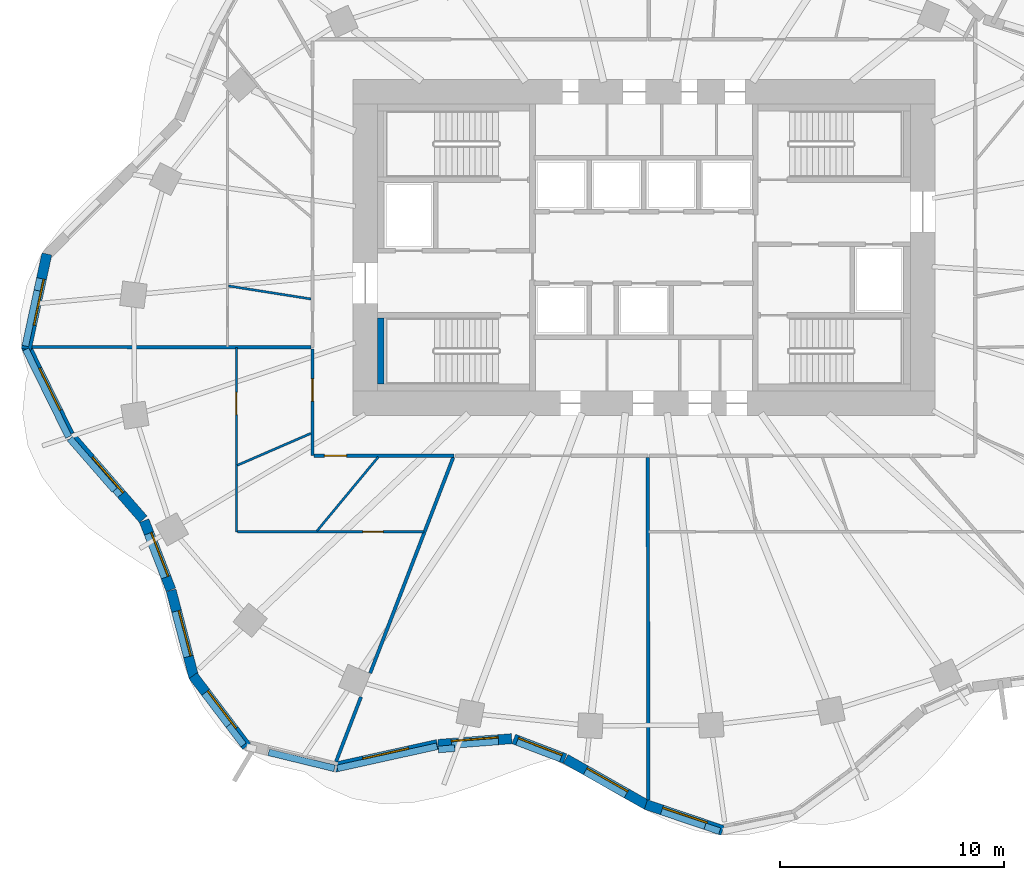
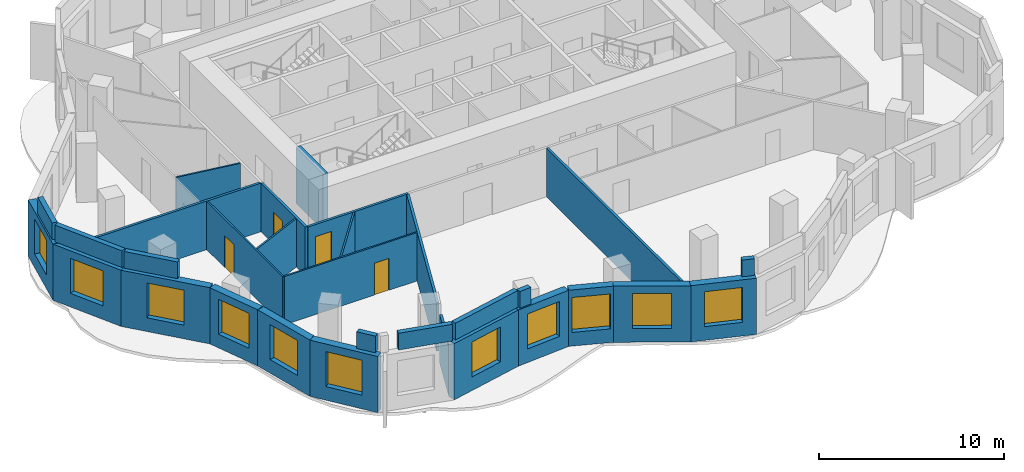
# One storey, part 3 of 10: 31 walls, 11 windows, 4 doors, 15 openings.
"""IFC4 building model written with IfcOpenShell, lengths in metres."""

from ifc_helpers import new_model, si_unit, direction, frame, frame_2d, origin, place, context, subcontext, project, spatial, rectangle, extrude, material, layer, layer_set, type_object, element, fill, save


model = new_model("IFC4")

# Units and contexts
model_context = context("Model", 3, precision=1e-05, world=origin(), true_north=direction((0.0, 1.0)))
body_context = subcontext(model_context, "Body", "Model", "MODEL_VIEW")
ifc_project = project(units=[si_unit("LENGTHUNIT", "METRE"), si_unit("AREAUNIT", "SQUARE_METRE"), si_unit("VOLUMEUNIT", "CUBIC_METRE"), si_unit("PLANEANGLEUNIT", "RADIAN"), si_unit("MASSUNIT", "GRAM", prefix="KILO")], contexts=[model_context])

# Site, building, storey
site_placement = place(None, origin())
site = spatial("IfcSite", under=ifc_project, at=site_placement, CompositionType="ELEMENT")
building_placement = place(site_placement, origin())
building = spatial("IfcBuilding", under=site, at=building_placement, Name="Rubra Terraces Tower", CompositionType="ELEMENT")
storey_placement = place(building_placement, frame((0.0, 0.0, 153.89990234375)))
storey = spatial("IfcBuildingStorey", under=building, at=storey_placement, Name="L37", CompositionType="ELEMENT", Elevation=153.89990234375)

# Wall, opening, window
ifc_material_1 = material(Name="Brick masonry red-brown", Category="masonry")
ifc_layer_1 = layer(ifc_material_1, 0.449951171875)
ifc_layer_set_1 = layer_set([ifc_layer_1], Name="Brick masonry red-brown")
wall_type_1 = type_object("IfcWallType", Name="Brick facade wall 450", PredefinedType="SOLIDWALL", material=ifc_layer_set_1)
wall_1_placement = place(storey_placement, frame((-26.668212890625, 4.21142578125, 0.0), z_axis=(0.0, 0.0, 1.0), x_axis=(-0.210910311825, -0.977505417052, 0.0)))
wall_1 = element("IfcWall", 1, at=wall_1_placement, inside=storey, type_object=wall_type_1, Name="Facade wall L37 bay 20", PredefinedType="SOLIDWALL", context=body_context, shape_type="SweptSolid", body=[
    extrude(rectangle(XDim=4.35693359375, YDim=0.449951171875, at=frame_2d((2.178466796875, 0.0))), origin(), (0.0, 0.0, 1.0), 3.7001953125),
])
opening_1_placement = place(wall_1_placement, frame((1.12841796875, 0.0, 0.89990234375)))
opening_1 = element("IfcOpeningElement", 2, at=opening_1_placement, cuts=wall_1, Name="Opening W1B", PredefinedType="OPENING", context=body_context, shape_type="SweptSolid", body=[
    extrude(rectangle(XDim=2.10009765625, YDim=2.300048828125, at=frame_2d((1.050048828125, 1.14990234375))), frame((0.0, 0.23486328125, 0.0), z_axis=(0.0, -1.0, 0.0), x_axis=(1.0, 0.0, 0.0)), (0.0, 0.0, 1.0), 0.469970703125),
])
ifc_material_2 = material(Name="Clear glass in aluminium frame", Category="aluminium")
window_type = type_object("IfcWindowType", Name="Fixed deep-set window tall storey 2100 x 2300", PartitioningType="SINGLE_PANEL", PredefinedType="WINDOW", material=ifc_material_2)
window_1_placement = place(opening_1_placement, origin())
window_1 = element("IfcWindow", 3, at=window_1_placement, inside=storey, type_object=window_type, Name="Window L37 bay 20", OverallHeight=2.300048828125, OverallWidth=2.10009765625, PartitioningType="SINGLE_PANEL", PredefinedType="WINDOW", context=body_context, shape_type="SweptSolid", body=[
    extrude(rectangle(XDim=2.10009765625, YDim=2.300048828125, at=frame_2d((1.050048828125, 1.14990234375))), frame((0.0, 0.135009765625, 0.0), z_axis=(0.0, -1.0, 0.0), x_axis=(1.0, 0.0, 0.0)), (0.0, 0.0, 1.0), 0.06005859375),
])
fill(opening_1, window_1)

wall_2_placement = place(storey_placement, frame((-27.60498046875, 0.09912109375, 0.0), z_axis=(0.0, 0.0, 1.0), x_axis=(0.440876526139, -0.897567762734, 0.0)))
wall_2 = element("IfcWall", 4, at=wall_2_placement, inside=storey, type_object=wall_type_1, Name="Facade wall L37 bay 21", PredefinedType="SOLIDWALL", context=body_context, shape_type="SweptSolid", body=[
    extrude(rectangle(XDim=4.4150390625, YDim=0.449951171875, at=frame_2d((2.20751953125, 0.0))), origin(), (0.0, 0.0, 1.0), 3.7001953125),
])
opening_2_placement = place(wall_2_placement, frame((1.15771484375, 0.0, 0.89990234375)))
opening_2 = element("IfcOpeningElement", 5, at=opening_2_placement, cuts=wall_2, Name="Opening W1B", PredefinedType="OPENING", context=body_context, shape_type="SweptSolid", body=[
    extrude(rectangle(XDim=2.10009765625, YDim=2.300048828125, at=frame_2d((1.050048828125, 1.14990234375))), frame((0.0, 0.23486328125, 0.0), z_axis=(0.0, -1.0, 0.0), x_axis=(1.0, 0.0, 0.0)), (0.0, 0.0, 1.0), 0.469970703125),
])
window_2_placement = place(opening_2_placement, origin())
window_2 = element("IfcWindow", 6, at=window_2_placement, inside=storey, type_object=window_type, Name="Window L37 bay 21", OverallHeight=2.300048828125, OverallWidth=2.10009765625, PartitioningType="SINGLE_PANEL", PredefinedType="WINDOW", context=body_context, shape_type="SweptSolid", body=[
    extrude(rectangle(XDim=2.10009765625, YDim=2.300048828125, at=frame_2d((1.050048828125, 1.14990234375))), frame((0.0, 0.135009765625, 0.0), z_axis=(0.0, -1.0, 0.0), x_axis=(1.0, 0.0, 0.0)), (0.0, 0.0, 1.0), 0.06005859375),
])
fill(opening_2, window_2)

wall_3_placement = place(storey_placement, frame((-25.690673828125, -3.815185546875, 0.0), z_axis=(0.0, 0.0, 1.0), x_axis=(0.656552883353, -0.754279995334, 0.0)))
wall_3 = element("IfcWall", 7, at=wall_3_placement, inside=storey, type_object=wall_type_1, Name="Facade wall L37 bay 22", PredefinedType="SOLIDWALL", context=body_context, shape_type="SweptSolid", body=[
    extrude(rectangle(XDim=5.0712890625, YDim=0.449951171875, at=frame_2d((2.53564453125, 0.0))), origin(), (0.0, 0.0, 1.0), 3.7001953125),
])
opening_3_placement = place(wall_3_placement, frame((1.485595703125, 0.0, 0.89990234375)))
opening_3 = element("IfcOpeningElement", 8, at=opening_3_placement, cuts=wall_3, Name="Opening W1B", PredefinedType="OPENING", context=body_context, shape_type="SweptSolid", body=[
    extrude(rectangle(XDim=2.10009765625, YDim=2.300048828125, at=frame_2d((1.050048828125, 1.14990234375))), frame((0.0, 0.23486328125, 0.0), z_axis=(0.0, -1.0, 0.0), x_axis=(1.0, 0.0, 0.0)), (0.0, 0.0, 1.0), 0.469970703125),
])
window_3_placement = place(opening_3_placement, origin())
window_3 = element("IfcWindow", 9, at=window_3_placement, inside=storey, type_object=window_type, Name="Window L37 bay 22", OverallHeight=2.300048828125, OverallWidth=2.10009765625, PartitioningType="SINGLE_PANEL", PredefinedType="WINDOW", context=body_context, shape_type="SweptSolid", body=[
    extrude(rectangle(XDim=2.10009765625, YDim=2.300048828125, at=frame_2d((1.050048828125, 1.14990234375))), frame((0.0, 0.135009765625, 0.0), z_axis=(0.0, -1.0, 0.0), x_axis=(1.0, 0.0, 0.0)), (0.0, 0.0, 1.0), 0.06005859375),
])
fill(opening_3, window_3)

wall_4_placement = place(storey_placement, frame((-22.323486328125, -7.70068359375, 0.0), z_axis=(0.0, 0.0, 1.0), x_axis=(0.361550075906, -0.932352692178, 0.0)))
wall_4 = element("IfcWall", 10, at=wall_4_placement, inside=storey, type_object=wall_type_1, Name="Facade wall L37 bay 23", PredefinedType="SOLIDWALL", context=body_context, shape_type="SweptSolid", body=[
    extrude(rectangle(XDim=3.3134765625, YDim=0.449951171875, at=frame_2d((1.65673828125, 0.0))), origin(), (0.0, 0.0, 1.0), 3.7001953125),
])
opening_4_placement = place(wall_4_placement, frame((0.606689453125, 0.0, 0.89990234375)))
opening_4 = element("IfcOpeningElement", 11, at=opening_4_placement, cuts=wall_4, Name="Opening W1B", PredefinedType="OPENING", context=body_context, shape_type="SweptSolid", body=[
    extrude(rectangle(XDim=2.10009765625, YDim=2.300048828125, at=frame_2d((1.050048828125, 1.14990234375))), frame((0.0, 0.23486328125, 0.0), z_axis=(0.0, -1.0, 0.0), x_axis=(1.0, 0.0, 0.0)), (0.0, 0.0, 1.0), 0.469970703125),
])
window_4_placement = place(opening_4_placement, origin())
window_4 = element("IfcWindow", 12, at=window_4_placement, inside=storey, type_object=window_type, Name="Window L37 bay 23", OverallHeight=2.300048828125, OverallWidth=2.10009765625, PartitioningType="SINGLE_PANEL", PredefinedType="WINDOW", context=body_context, shape_type="SweptSolid", body=[
    extrude(rectangle(XDim=2.10009765625, YDim=2.300048828125, at=frame_2d((1.050048828125, 1.14990234375))), frame((0.0, 0.135009765625, 0.0), z_axis=(0.0, -1.0, 0.0), x_axis=(1.0, 0.0, 0.0)), (0.0, 0.0, 1.0), 0.06005859375),
])
fill(opening_4, window_4)

wall_5_placement = place(storey_placement, frame((-21.11669921875, -10.8154296875, 0.0), z_axis=(0.0, 0.0, 1.0), x_axis=(0.253065392985, -0.967449175344, 0.0)))
wall_5 = element("IfcWall", 13, at=wall_5_placement, inside=storey, type_object=wall_type_1, Name="Facade wall L37 bay 24", PredefinedType="SOLIDWALL", context=body_context, shape_type="SweptSolid", body=[
    extrude(rectangle(XDim=4.01513671875, YDim=0.449951171875, at=frame_2d((2.007568359375, 0.0))), origin(), (0.0, 0.0, 1.0), 3.7001953125),
])
opening_5_placement = place(wall_5_placement, frame((0.95751953125, 0.0, 0.89990234375)))
opening_5 = element("IfcOpeningElement", 14, at=opening_5_placement, cuts=wall_5, Name="Opening W1B", PredefinedType="OPENING", context=body_context, shape_type="SweptSolid", body=[
    extrude(rectangle(XDim=2.10009765625, YDim=2.300048828125, at=frame_2d((1.050048828125, 1.14990234375))), frame((0.0, 0.23486328125, 0.0), z_axis=(0.0, -1.0, 0.0), x_axis=(1.0, 0.0, 0.0)), (0.0, 0.0, 1.0), 0.469970703125),
])
window_5_placement = place(opening_5_placement, origin())
window_5 = element("IfcWindow", 15, at=window_5_placement, inside=storey, type_object=window_type, Name="Window L37 bay 24", OverallHeight=2.300048828125, OverallWidth=2.10009765625, PartitioningType="SINGLE_PANEL", PredefinedType="WINDOW", context=body_context, shape_type="SweptSolid", body=[
    extrude(rectangle(XDim=2.10009765625, YDim=2.300048828125, at=frame_2d((1.050048828125, 1.14990234375))), frame((0.0, 0.135009765625, 0.0), z_axis=(0.0, -1.0, 0.0), x_axis=(1.0, 0.0, 0.0)), (0.0, 0.0, 1.0), 0.06005859375),
])
fill(opening_5, window_5)

wall_6_placement = place(storey_placement, frame((-20.1376953125, -14.6259765625, 0.0), z_axis=(0.0, 0.0, 1.0), x_axis=(0.604591324894, -0.796535830872, 0.0)))
wall_6 = element("IfcWall", 16, at=wall_6_placement, inside=storey, type_object=wall_type_1, Name="Facade wall L37 bay 25", PredefinedType="SOLIDWALL", context=body_context, shape_type="SweptSolid", body=[
    extrude(rectangle(XDim=3.964599609375, YDim=0.449951171875, at=frame_2d((1.982421875, 0.0))), origin(), (0.0, 0.0, 1.0), 3.7001953125),
])
opening_6_placement = place(wall_6_placement, frame((0.932373046875, 0.0, 0.89990234375)))
opening_6 = element("IfcOpeningElement", 17, at=opening_6_placement, cuts=wall_6, Name="Opening W1B", PredefinedType="OPENING", context=body_context, shape_type="SweptSolid", body=[
    extrude(rectangle(XDim=2.10009765625, YDim=2.300048828125, at=frame_2d((1.050048828125, 1.14990234375))), frame((0.0, 0.23486328125, 0.0), z_axis=(0.0, -1.0, 0.0), x_axis=(1.0, 0.0, 0.0)), (0.0, 0.0, 1.0), 0.469970703125),
])
window_6_placement = place(opening_6_placement, origin())
window_6 = element("IfcWindow", 18, at=window_6_placement, inside=storey, type_object=window_type, Name="Window L37 bay 25", OverallHeight=2.300048828125, OverallWidth=2.10009765625, PartitioningType="SINGLE_PANEL", PredefinedType="WINDOW", context=body_context, shape_type="SweptSolid", body=[
    extrude(rectangle(XDim=2.10009765625, YDim=2.300048828125, at=frame_2d((1.050048828125, 1.14990234375))), frame((0.0, 0.135009765625, 0.0), z_axis=(0.0, -1.0, 0.0), x_axis=(1.0, 0.0, 0.0)), (0.0, 0.0, 1.0), 0.06005859375),
])
fill(opening_6, window_6)

wall_7_placement = place(storey_placement, frame((-13.802001953125, -18.714599609375, 0.0), z_axis=(0.0, 0.0, 1.0), x_axis=(0.976380129166, 0.216059814331, 0.0)))
wall_7 = element("IfcWall", 19, at=wall_7_placement, inside=storey, type_object=wall_type_1, Name="Facade wall L37 bay 27", PredefinedType="SOLIDWALL", context=body_context, shape_type="SweptSolid", body=[
    extrude(rectangle(XDim=4.691650390625, YDim=0.449951171875, at=frame_2d((2.345703125, 0.0))), origin(), (0.0, 0.0, 1.0), 3.7001953125),
])
opening_7_placement = place(wall_7_placement, frame((1.295654296875, 0.0, 0.89990234375)))
opening_7 = element("IfcOpeningElement", 20, at=opening_7_placement, cuts=wall_7, Name="Opening W1B", PredefinedType="OPENING", context=body_context, shape_type="SweptSolid", body=[
    extrude(rectangle(XDim=2.10009765625, YDim=2.300048828125, at=frame_2d((1.050048828125, 1.14990234375))), frame((0.0, 0.23486328125, 0.0), z_axis=(0.0, -1.0, 0.0), x_axis=(1.0, 0.0, 0.0)), (0.0, 0.0, 1.0), 0.469970703125),
])
window_7_placement = place(opening_7_placement, origin())
window_7 = element("IfcWindow", 21, at=window_7_placement, inside=storey, type_object=window_type, Name="Window L37 bay 27", OverallHeight=2.300048828125, OverallWidth=2.10009765625, PartitioningType="SINGLE_PANEL", PredefinedType="WINDOW", context=body_context, shape_type="SweptSolid", body=[
    extrude(rectangle(XDim=2.10009765625, YDim=2.300048828125, at=frame_2d((1.050048828125, 1.14990234375))), frame((0.0, 0.135009765625, 0.0), z_axis=(0.0, -1.0, 0.0), x_axis=(1.0, 0.0, 0.0)), (0.0, 0.0, 1.0), 0.06005859375),
])
fill(opening_7, window_7)

wall_8_placement = place(storey_placement, frame((-9.188232421875, -17.69677734375, 0.0), z_axis=(0.0, 0.0, 1.0), x_axis=(0.996964028691, 0.077863505548, 0.0)))
wall_8 = element("IfcWall", 22, at=wall_8_placement, inside=storey, type_object=wall_type_1, Name="Facade wall L37 bay 28", PredefinedType="SOLIDWALL", context=body_context, shape_type="SweptSolid", body=[
    extrude(rectangle(XDim=3.29541015625, YDim=0.449951171875, at=frame_2d((1.647705078125, 0.0))), origin(), (0.0, 0.0, 1.0), 3.7001953125),
])
opening_8_placement = place(wall_8_placement, frame((0.59765625, 0.0, 0.89990234375)))
opening_8 = element("IfcOpeningElement", 23, at=opening_8_placement, cuts=wall_8, Name="Opening W1B", PredefinedType="OPENING", context=body_context, shape_type="SweptSolid", body=[
    extrude(rectangle(XDim=2.10009765625, YDim=2.300048828125, at=frame_2d((1.050048828125, 1.14990234375))), frame((0.0, 0.23486328125, 0.0), z_axis=(0.0, -1.0, 0.0), x_axis=(1.0, 0.0, 0.0)), (0.0, 0.0, 1.0), 0.469970703125),
])
window_8_placement = place(opening_8_placement, origin())
window_8 = element("IfcWindow", 24, at=window_8_placement, inside=storey, type_object=window_type, Name="Window L37 bay 28", OverallHeight=2.300048828125, OverallWidth=2.10009765625, PartitioningType="SINGLE_PANEL", PredefinedType="WINDOW", context=body_context, shape_type="SweptSolid", body=[
    extrude(rectangle(XDim=2.10009765625, YDim=2.300048828125, at=frame_2d((1.050048828125, 1.14990234375))), frame((0.0, 0.135009765625, 0.0), z_axis=(0.0, -1.0, 0.0), x_axis=(1.0, 0.0, 0.0)), (0.0, 0.0, 1.0), 0.06005859375),
])
fill(opening_8, window_8)

wall_9_placement = place(storey_placement, frame((-5.810546875, -17.45458984375, 0.0), z_axis=(0.0, 0.0, 1.0), x_axis=(0.934122271306, -0.35695319336, 0.0)))
wall_9 = element("IfcWall", 25, at=wall_9_placement, inside=storey, type_object=wall_type_1, Name="Facade wall L37 bay 29", PredefinedType="SOLIDWALL", context=body_context, shape_type="SweptSolid", body=[
    extrude(rectangle(XDim=2.447998046875, YDim=0.449951171875, at=frame_2d((1.22412109375, 0.0))), origin(), (0.0, 0.0, 1.0), 3.7001953125),
])
opening_9_placement = place(wall_9_placement, frame((0.174072265625, 0.0, 0.89990234375)))
opening_9 = element("IfcOpeningElement", 26, at=opening_9_placement, cuts=wall_9, Name="Opening W1B", PredefinedType="OPENING", context=body_context, shape_type="SweptSolid", body=[
    extrude(rectangle(XDim=2.10009765625, YDim=2.300048828125, at=frame_2d((1.050048828125, 1.14990234375))), frame((0.0, 0.23486328125, 0.0), z_axis=(0.0, -1.0, 0.0), x_axis=(1.0, 0.0, 0.0)), (0.0, 0.0, 1.0), 0.469970703125),
])
window_9_placement = place(opening_9_placement, origin())
window_9 = element("IfcWindow", 27, at=window_9_placement, inside=storey, type_object=window_type, Name="Window L37 bay 29", OverallHeight=2.300048828125, OverallWidth=2.10009765625, PartitioningType="SINGLE_PANEL", PredefinedType="WINDOW", context=body_context, shape_type="SweptSolid", body=[
    extrude(rectangle(XDim=2.10009765625, YDim=2.300048828125, at=frame_2d((1.050048828125, 1.14990234375))), frame((0.0, 0.135009765625, 0.0), z_axis=(0.0, -1.0, 0.0), x_axis=(1.0, 0.0, 0.0)), (0.0, 0.0, 1.0), 0.06005859375),
])
fill(opening_9, window_9)

wall_10_placement = place(storey_placement, frame((-3.4931640625, -18.3427734375, 0.0), z_axis=(0.0, 0.0, 1.0), x_axis=(0.869825988853, -0.493358641473, 0.0)))
wall_10 = element("IfcWall", 28, at=wall_10_placement, inside=storey, type_object=wall_type_1, Name="Facade wall L37 bay 30", PredefinedType="SOLIDWALL", context=body_context, shape_type="SweptSolid", body=[
    extrude(rectangle(XDim=4.164794921875, YDim=0.449951171875, at=frame_2d((2.08251953125, 0.0))), origin(), (0.0, 0.0, 1.0), 3.7001953125),
])
opening_10_placement = place(wall_10_placement, frame((1.032470703125, 0.0, 0.89990234375)))
opening_10 = element("IfcOpeningElement", 29, at=opening_10_placement, cuts=wall_10, Name="Opening W1B", PredefinedType="OPENING", context=body_context, shape_type="SweptSolid", body=[
    extrude(rectangle(XDim=2.10009765625, YDim=2.300048828125, at=frame_2d((1.050048828125, 1.14990234375))), frame((0.0, 0.23486328125, 0.0), z_axis=(0.0, -1.0, 0.0), x_axis=(1.0, 0.0, 0.0)), (0.0, 0.0, 1.0), 0.469970703125),
])
window_10_placement = place(opening_10_placement, origin())
window_10 = element("IfcWindow", 30, at=window_10_placement, inside=storey, type_object=window_type, Name="Window L37 bay 30", OverallHeight=2.300048828125, OverallWidth=2.10009765625, PartitioningType="SINGLE_PANEL", PredefinedType="WINDOW", context=body_context, shape_type="SweptSolid", body=[
    extrude(rectangle(XDim=2.10009765625, YDim=2.300048828125, at=frame_2d((1.050048828125, 1.14990234375))), frame((0.0, 0.135009765625, 0.0), z_axis=(0.0, -1.0, 0.0), x_axis=(1.0, 0.0, 0.0)), (0.0, 0.0, 1.0), 0.06005859375),
])
fill(opening_10, window_10)

wall_11_placement = place(storey_placement, frame((0.090576171875, -20.380126953125, 0.0), z_axis=(0.0, 0.0, 1.0), x_axis=(0.947304227221, -0.320335294791, 0.0)))
wall_11 = element("IfcWall", 31, at=wall_11_placement, inside=storey, type_object=wall_type_1, Name="Facade wall L37 bay 31", PredefinedType="SOLIDWALL", context=body_context, shape_type="SweptSolid", body=[
    extrude(rectangle(XDim=3.6171875, YDim=0.449951171875, at=frame_2d((1.80859375, 0.0))), origin(), (0.0, 0.0, 1.0), 3.7001953125),
])
opening_11_placement = place(wall_11_placement, frame((0.758544921875, 0.0, 0.89990234375)))
opening_11 = element("IfcOpeningElement", 32, at=opening_11_placement, cuts=wall_11, Name="Opening W1B", PredefinedType="OPENING", context=body_context, shape_type="SweptSolid", body=[
    extrude(rectangle(XDim=2.10009765625, YDim=2.300048828125, at=frame_2d((1.050048828125, 1.14990234375))), frame((0.0, 0.23486328125, 0.0), z_axis=(0.0, -1.0, 0.0), x_axis=(1.0, 0.0, 0.0)), (0.0, 0.0, 1.0), 0.469970703125),
])
window_11_placement = place(opening_11_placement, origin())
window_11 = element("IfcWindow", 33, at=window_11_placement, inside=storey, type_object=window_type, Name="Window L37 bay 31", OverallHeight=2.300048828125, OverallWidth=2.10009765625, PartitioningType="SINGLE_PANEL", PredefinedType="WINDOW", context=body_context, shape_type="SweptSolid", body=[
    extrude(rectangle(XDim=2.10009765625, YDim=2.300048828125, at=frame_2d((1.050048828125, 1.14990234375))), frame((0.0, 0.135009765625, 0.0), z_axis=(0.0, -1.0, 0.0), x_axis=(1.0, 0.0, 0.0)), (0.0, 0.0, 1.0), 0.06005859375),
])
fill(opening_11, window_11)

# Walls
ifc_layer_2 = layer(ifc_material_1, 0.300048828125)
ifc_layer_set_2 = layer_set([ifc_layer_2], Name="Brick masonry red-brown")
wall_type_2 = type_object("IfcWallType", Name="Brick parapet 300", PredefinedType="PARAPET", material=ifc_layer_set_2)
wall_12_placement = place(storey_placement, frame((-27.096435546875, 2.581298828125, 3.900146484375), z_axis=(0.0, 0.0, 1.0), x_axis=(-0.210980205847, -0.977490333835, 0.0)))
element("IfcWall", 34, at=wall_12_placement, inside=storey, type_object=wall_type_2, Name="Parapet L37 bay 20", PredefinedType="PARAPET", context=body_context, shape_type="SweptSolid", body=[
    extrude(rectangle(XDim=2.538818359375, YDim=0.300048828125, at=frame_2d((1.26953125, 0.0))), origin(), (0.0, 0.0, 1.0), 1.099853515625),
])
wall_13_placement = place(storey_placement, frame((-27.61328125, -0.054443359375, 3.900146484375), z_axis=(0.0, 0.0, 1.0), x_axis=(0.44091498769, -0.897548869773, 0.0)))
element("IfcWall", 35, at=wall_13_placement, inside=storey, type_object=wall_type_2, Name="Parapet L37 bay 21", PredefinedType="PARAPET", context=body_context, shape_type="SweptSolid", body=[
    extrude(rectangle(XDim=4.348876953125, YDim=0.300048828125, at=frame_2d((2.17431640625, 0.0))), origin(), (0.0, 0.0, 1.0), 1.099853515625),
])
wall_14_placement = place(storey_placement, frame((-25.641357421875, -4.039794921875, 3.900146484375), z_axis=(0.0, 0.0, 1.0), x_axis=(0.656591159215, -0.754246676917, 0.0)))
element("IfcWall", 36, at=wall_14_placement, inside=storey, type_object=wall_type_2, Name="Parapet L37 bay 22", PredefinedType="PARAPET", context=body_context, shape_type="SweptSolid", body=[
    extrude(rectangle(XDim=3.047607421875, YDim=0.300048828125, at=frame_2d((1.52392578125, 0.0))), origin(), (0.0, 0.0, 1.0), 1.099853515625),
])
wall_15_placement = place(storey_placement, frame((-18.548583984375, -16.843505859375, 3.900146484375), z_axis=(0.0, 0.0, 1.0), x_axis=(0.604425303639, -0.796661818039, 0.0)))
element("IfcWall", 37, at=wall_15_placement, inside=storey, type_object=wall_type_2, Name="Parapet L37 bay 25", PredefinedType="PARAPET", context=body_context, shape_type="SweptSolid", body=[
    extrude(rectangle(XDim=1.10107421875, YDim=0.300048828125, at=frame_2d((0.550537109375, 0.0))), origin(), (0.0, 0.0, 1.0), 1.099853515625),
])
wall_16_placement = place(storey_placement, frame((-16.759765625, -18.048583984375, 3.900146484375), z_axis=(0.0, 0.0, 1.0), x_axis=(0.971548856787, -0.236839225795, 0.0)))
element("IfcWall", 38, at=wall_16_placement, inside=storey, type_object=wall_type_2, Name="Parapet L37 bay 26.2", PredefinedType="PARAPET", context=body_context, shape_type="SweptSolid", body=[
    extrude(rectangle(XDim=3.027587890625, YDim=0.300048828125, at=frame_2d((1.513671875, 0.0))), origin(), (0.0, 0.0, 1.0), 1.099853515625),
])
wall_17_placement = place(storey_placement, frame((-13.69189453125, -18.76708984375, 3.900146484375), z_axis=(0.0, 0.0, 1.0), x_axis=(0.976379349899, 0.21606333583, 0.0)))
element("IfcWall", 39, at=wall_17_placement, inside=storey, type_object=wall_type_2, Name="Parapet L37 bay 27", PredefinedType="PARAPET", context=body_context, shape_type="SweptSolid", body=[
    extrude(rectangle(XDim=4.5615234375, YDim=0.300048828125, at=frame_2d((2.28076171875, 0.0))), origin(), (0.0, 0.0, 1.0), 1.099853515625),
])
wall_18_placement = place(storey_placement, frame((-9.17626953125, -17.92138671875, 3.900146484375), z_axis=(0.0, 0.0, 1.0), x_axis=(0.996986943463, 0.077569546628, 0.0)))
element("IfcWall", 40, at=wall_18_placement, inside=storey, type_object=wall_type_2, Name="Parapet L37 bay 28", PredefinedType="PARAPET", context=body_context, shape_type="SweptSolid", body=[
    extrude(rectangle(XDim=0.72705078125, YDim=0.300048828125, at=frame_2d((0.363525390625, 0.0))), origin(), (0.0, 0.0, 1.0), 1.099853515625),
])
wall_19_placement = place(storey_placement, frame((2.72900390625, -21.3515625, 3.900146484375), z_axis=(0.0, 0.0, 1.0), x_axis=(0.947268485621, -0.320440971397, 0.0)))
element("IfcWall", 41, at=wall_19_placement, inside=storey, type_object=wall_type_2, Name="Parapet L37 bay 31", PredefinedType="PARAPET", context=body_context, shape_type="SweptSolid", body=[
    extrude(rectangle(XDim=0.69482421875, YDim=0.300048828125, at=frame_2d((0.347412109375, 0.0))), origin(), (0.0, 0.0, 1.0), 1.099853515625),
])

# Wall, opening, door
ifc_material_3 = material(Name="Plasterboard on steel stud, mineral wool infill", Category="steel")
ifc_layer_3 = layer(ifc_material_3, 0.14990234375)
ifc_layer_set_3 = layer_set([ifc_layer_3], Name="Plasterboard on steel stud, mineral wool infill")
wall_type_3 = type_object("IfcWallType", Name="CORRIDOR PARTITION 150", PredefinedType="PARTITIONING", material=ifc_layer_set_3)
wall_20_placement = place(storey_placement, frame((-14.800048828125, -0.031982421875, 0.0), z_axis=(0.0, 0.0, 1.0), x_axis=(0.0, -1.0, 0.0)))
wall_20 = element("IfcWall", 42, at=wall_20_placement, inside=storey, type_object=wall_type_3, Name="PARTITION", PredefinedType="PARTITIONING", context=body_context, shape_type="SweptSolid", body=[
    extrude(rectangle(XDim=4.76806640625, YDim=0.14990234375, at=frame_2d((2.384033203125, 0.0))), origin(), (0.0, 0.0, 1.0), 3.197998046875),
])
opening_12_placement = place(wall_20_placement, frame((1.33203125, 0.0, 0.0)))
opening_12 = element("IfcOpeningElement", 43, at=opening_12_placement, cuts=wall_20, Name="Opening 37-108", PredefinedType="OPENING", context=body_context, shape_type="SweptSolid", body=[
    extrude(rectangle(XDim=1.0, YDim=2.10009765625, at=frame_2d((0.5, 1.050048828125))), frame((0.0, 0.0849609375, 0.0), z_axis=(0.0, -1.0, 0.0), x_axis=(1.0, 0.0, 0.0)), (0.0, 0.0, 1.0), 0.169921875),
])
ifc_material_4 = material(Name="Painted timber door leaf", Category="wood")
door_type_1 = type_object("IfcDoorType", Name="ROOM DOOR 1000 X 2100", OperationType="SINGLE_SWING_LEFT", PredefinedType="DOOR", material=ifc_material_4)
door_1_placement = place(opening_12_placement, origin())
door_1 = element("IfcDoor", 44, at=door_1_placement, inside=storey, type_object=door_type_1, Name="DOOR 37-108", OperationType="SINGLE_SWING_RIGHT", OverallHeight=2.10009765625, OverallWidth=1.0, PredefinedType="DOOR", context=body_context, shape_type="SweptSolid", body=[
    extrude(rectangle(XDim=1.0, YDim=2.10009765625, at=frame_2d((0.5, 1.050048828125))), frame((0.0, 0.02490234375, 0.0), z_axis=(0.0, -1.0, 0.0), x_axis=(1.0, 0.0, 0.0)), (0.0, 0.0, 1.0), 0.050048828125),
])
fill(opening_12, door_1)

wall_21_placement = place(storey_placement, frame((-14.72509765625, -4.800048828125, 0.0), z_axis=(0.0, 0.0, 1.0), x_axis=(1.0, 0.0, 0.0)))
wall_21 = element("IfcWall", 45, at=wall_21_placement, inside=storey, type_object=wall_type_3, Name="PARTITION", PredefinedType="PARTITIONING", context=body_context, shape_type="SweptSolid", body=[
    extrude(rectangle(XDim=6.239501953125, YDim=0.14990234375, at=frame_2d((3.11962890625, 0.0))), origin(), (0.0, 0.0, 1.0), 3.197998046875),
])
opening_13_placement = place(wall_21_placement, frame((0.449951171875, 0.0, 0.0)))
opening_13 = element("IfcOpeningElement", 46, at=opening_13_placement, cuts=wall_21, Name="Opening 37-110", PredefinedType="OPENING", context=body_context, shape_type="SweptSolid", body=[
    extrude(rectangle(XDim=1.0, YDim=2.39990234375, at=frame_2d((0.5, 1.199951171875))), frame((0.0, 0.0849609375, 0.0), z_axis=(0.0, -1.0, 0.0), x_axis=(1.0, 0.0, 0.0)), (0.0, 0.0, 1.0), 0.169921875),
])
ifc_material_5 = material(Name="Glazed aluminium meeting door leaf", Category="aluminium")
door_type_2 = type_object("IfcDoorType", Name="MEETING ROOM GLAZED DOOR 1000 X 2400", OperationType="SINGLE_SWING_LEFT", PredefinedType="DOOR", material=ifc_material_5)
door_2_placement = place(opening_13_placement, origin())
door_2 = element("IfcDoor", 47, at=door_2_placement, inside=storey, type_object=door_type_2, Name="DOOR 37-110", OperationType="SINGLE_SWING_RIGHT", OverallHeight=2.39990234375, OverallWidth=1.0, PredefinedType="DOOR", context=body_context, shape_type="SweptSolid", body=[
    extrude(rectangle(XDim=1.0, YDim=2.39990234375, at=frame_2d((0.5, 1.199951171875))), frame((0.0, 0.02490234375, 0.0), z_axis=(0.0, -1.0, 0.0), x_axis=(1.0, 0.0, 0.0)), (0.0, 0.0, 1.0), 0.050048828125),
])
fill(opening_13, door_2)

# Walls
ifc_material_6 = material(Name="Concrete C40", Category="concrete")
ifc_layer_4 = layer(ifc_material_6, 0.300048828125)
ifc_layer_set_4 = layer_set([ifc_layer_4], Name="Concrete C40")
wall_type_4 = type_object("IfcWallType", Name="Core lining wall 300 concrete", PredefinedType="SOLIDWALL", material=ifc_layer_set_4)
wall_22_placement = place(storey_placement, frame((-11.75, -1.60009765625, 0.0), z_axis=(0.0, 0.0, 1.0), x_axis=(0.0, 1.0, 0.0)))
element("IfcWall", 48, at=wall_22_placement, inside=storey, type_object=wall_type_4, Name="CORE LINING WALL L37", PredefinedType="SOLIDWALL", context=body_context, shape_type="SweptSolid", body=[
    extrude(rectangle(XDim=2.9501953125, YDim=0.300048828125, at=frame_2d((1.47509765625, 0.0))), origin(), (0.0, 0.0, 1.0), 3.7001953125),
])
ifc_material_7 = material(Name="Plasterboard on steel stud", Category="steel")
ifc_layer_5 = layer(ifc_material_7, 0.10009765625)
ifc_layer_set_5 = layer_set([ifc_layer_5], Name="Plasterboard on steel stud")
wall_type_5 = type_object("IfcWallType", Name="ROOM PARTITION 100", PredefinedType="PARTITIONING", material=ifc_layer_set_5)
wall_23_placement = place(storey_placement, frame((-14.8740234375, 2.201416015625, 0.0), z_axis=(0.0, 0.0, 1.0), x_axis=(-0.987740086377, 0.15610740458, 0.0)))
element("IfcWall", 49, at=wall_23_placement, inside=storey, type_object=wall_type_5, Name="PARTITION", PredefinedType="PARTITIONING", context=body_context, shape_type="SweptSolid", body=[
    extrude(rectangle(XDim=3.72216796875, YDim=0.10009765625, at=frame_2d((1.861083984375, 0.0))), origin(), (0.0, 0.0, 1.0), 3.18408203125),
])

# Wall, opening, door
wall_24_placement = place(storey_placement, frame((-18.199951171875, -8.199951171875, 0.0), z_axis=(0.0, 0.0, 1.0), x_axis=(0.0, 1.0, 0.0)))
wall_24 = element("IfcWall", 50, at=wall_24_placement, inside=storey, type_object=wall_type_5, Name="PARTITION", PredefinedType="PARTITIONING", context=body_context, shape_type="SweptSolid", body=[
    extrude(rectangle(XDim=8.22705078125, YDim=0.10009765625, at=frame_2d((4.113525390625, 0.0))), origin(), (0.0, 0.0, 1.0), 3.18408203125),
])
opening_14_placement = place(wall_24_placement, frame((5.23095703125, 0.0, 0.0)))
opening_14 = element("IfcOpeningElement", 51, at=opening_14_placement, cuts=wall_24, Name="Opening 37-109", PredefinedType="OPENING", context=body_context, shape_type="SweptSolid", body=[
    extrude(rectangle(XDim=1.0, YDim=2.10009765625, at=frame_2d((0.5, 1.050048828125))), frame((0.0, 0.06005859375, 0.0), z_axis=(0.0, -1.0, 0.0), x_axis=(1.0, 0.0, 0.0)), (0.0, 0.0, 1.0), 0.1201171875),
])
door_3_placement = place(opening_14_placement, origin())
door_3 = element("IfcDoor", 52, at=door_3_placement, inside=storey, type_object=door_type_1, Name="DOOR 37-109", OperationType="SINGLE_SWING_RIGHT", OverallHeight=2.10009765625, OverallWidth=1.0, PredefinedType="DOOR", context=body_context, shape_type="SweptSolid", body=[
    extrude(rectangle(XDim=1.0, YDim=2.10009765625, at=frame_2d((0.5, 1.050048828125))), frame((0.0, 0.02490234375, 0.0), z_axis=(0.0, -1.0, 0.0), x_axis=(1.0, 0.0, 0.0)), (0.0, 0.0, 1.0), 0.050048828125),
])
fill(opening_14, door_3)

wall_25_placement = place(storey_placement, frame((-9.816650390625, -8.199951171875, 0.0), z_axis=(0.0, 0.0, 1.0), x_axis=(-1.0, 0.0, 0.0)))
wall_25 = element("IfcWall", 53, at=wall_25_placement, inside=storey, type_object=wall_type_5, Name="PARTITION", PredefinedType="PARTITIONING", context=body_context, shape_type="SweptSolid", body=[
    extrude(rectangle(XDim=8.333251953125, YDim=0.10009765625, at=frame_2d((4.16650390625, 0.0))), origin(), (0.0, 0.0, 1.0), 3.18408203125),
])
opening_15_placement = place(wall_25_placement, frame((1.833984375, 0.0, 0.0)))
opening_15 = element("IfcOpeningElement", 54, at=opening_15_placement, cuts=wall_25, Name="Opening 37-111", PredefinedType="OPENING", context=body_context, shape_type="SweptSolid", body=[
    extrude(rectangle(XDim=0.89990234375, YDim=2.10009765625, at=frame_2d((0.449951171875, 1.050048828125))), frame((0.0, 0.06005859375, 0.0), z_axis=(0.0, -1.0, 0.0), x_axis=(1.0, 0.0, 0.0)), (0.0, 0.0, 1.0), 0.1201171875),
])
door_type_3 = type_object("IfcDoorType", Name="ROOM DOOR 900 X 2100", OperationType="SINGLE_SWING_LEFT", PredefinedType="DOOR", material=ifc_material_4)
door_4_placement = place(opening_15_placement, origin())
door_4 = element("IfcDoor", 55, at=door_4_placement, inside=storey, type_object=door_type_3, Name="DOOR 37-111", OperationType="SINGLE_SWING_LEFT", OverallHeight=2.10009765625, OverallWidth=0.89990234375, PredefinedType="DOOR", context=body_context, shape_type="SweptSolid", body=[
    extrude(rectangle(XDim=0.89990234375, YDim=2.10009765625, at=frame_2d((0.449951171875, 1.050048828125))), frame((0.0, 0.02490234375, 0.0), z_axis=(0.0, -1.0, 0.0), x_axis=(1.0, 0.0, 0.0)), (0.0, 0.0, 1.0), 0.050048828125),
])
fill(opening_15, door_4)

# Walls
wall_26_placement = place(storey_placement, frame((-14.868896484375, -3.800537109375, 0.0), z_axis=(0.0, 0.0, 1.0), x_axis=(-0.917454439066, -0.397840862957, 0.0)))
element("IfcWall", 56, at=wall_26_placement, inside=storey, type_object=wall_type_5, Name="PARTITION", PredefinedType="PARTITIONING", context=body_context, shape_type="SweptSolid", body=[
    extrude(rectangle(XDim=3.580810546875, YDim=0.10009765625, at=frame_2d((1.79052734375, 0.0))), origin(), (0.0, 0.0, 1.0), 3.18408203125),
])
wall_27_placement = place(storey_placement, frame((-11.864990234375, -4.85791015625, 0.0), z_axis=(0.0, 0.0, 1.0), x_axis=(-0.638010152626, -0.770027950886, 0.0)))
element("IfcWall", 57, at=wall_27_placement, inside=storey, type_object=wall_type_5, Name="PARTITION", PredefinedType="PARTITIONING", context=body_context, shape_type="SweptSolid", body=[
    extrude(rectangle(XDim=4.290283203125, YDim=0.10009765625, at=frame_2d((2.14501953125, 0.0))), origin(), (0.0, 0.0, 1.0), 3.18408203125),
])
ifc_layer_6 = layer(ifc_material_7, 0.14990234375)
ifc_layer_set_6 = layer_set([ifc_layer_6], Name="Plasterboard on steel stud")
wall_type_6 = type_object("IfcWallType", Name="ROOM PARTITION 150", PredefinedType="PARTITIONING", material=ifc_layer_set_6)
wall_28_placement = place(storey_placement, frame((-27.32958984375, 0.05810546875, 0.0), z_axis=(0.0, 0.0, 1.0), x_axis=(0.999999285092, -0.001195749331, 0.0)))
element("IfcWall", 58, at=wall_28_placement, inside=storey, type_object=wall_type_6, Name="PARTITION", PredefinedType="PARTITIONING", context=body_context, shape_type="SweptSolid", body=[
    extrude(rectangle(XDim=12.45458984375, YDim=0.14990234375, at=frame_2d((6.227294921875, 0.0))), origin(), (0.0, 0.0, 1.0), 3.197998046875),
])
wall_29_placement = place(storey_placement, frame((-13.75, -18.468505859375, 0.0), z_axis=(0.0, 0.0, 1.0), x_axis=(0.359395543855, 0.933185320854, 0.0)))
element("IfcWall", 59, at=wall_29_placement, inside=storey, type_object=wall_type_6, Name="PARTITION", PredefinedType="PARTITIONING", context=body_context, shape_type="SweptSolid", body=[
    extrude(rectangle(XDim=3.10302734375, YDim=0.14990234375, at=frame_2d((1.551513671875, 0.0))), origin(), (0.0, 0.0, 1.0), 3.197998046875),
])
wall_30_placement = place(storey_placement, frame((-12.225341796875, -14.509765625, 0.0), z_axis=(0.0, 0.0, 1.0), x_axis=(0.359408237085, 0.93318043224, 0.0)))
element("IfcWall", 60, at=wall_30_placement, inside=storey, type_object=wall_type_6, Name="PARTITION", PredefinedType="PARTITIONING", context=body_context, shape_type="SweptSolid", body=[
    extrude(rectangle(XDim=10.329833984375, YDim=0.14990234375, at=frame_2d((5.1650390625, 0.0))), origin(), (0.0, 0.0, 1.0), 3.197998046875),
])
wall_31_placement = place(storey_placement, frame((0.203125, -20.176025390625, 0.0), z_axis=(0.0, 0.0, 1.0), x_axis=(-0.001930652346, 0.999998136289, 0.0)))
element("IfcWall", 61, at=wall_31_placement, inside=storey, type_object=wall_type_6, Name="PARTITION", PredefinedType="PARTITIONING", context=body_context, shape_type="SweptSolid", body=[
    extrude(rectangle(XDim=15.301025390625, YDim=0.14990234375, at=frame_2d((7.650390625, 0.0))), origin(), (0.0, 0.0, 1.0), 3.197998046875),
])

save(model, "model.ifc")
